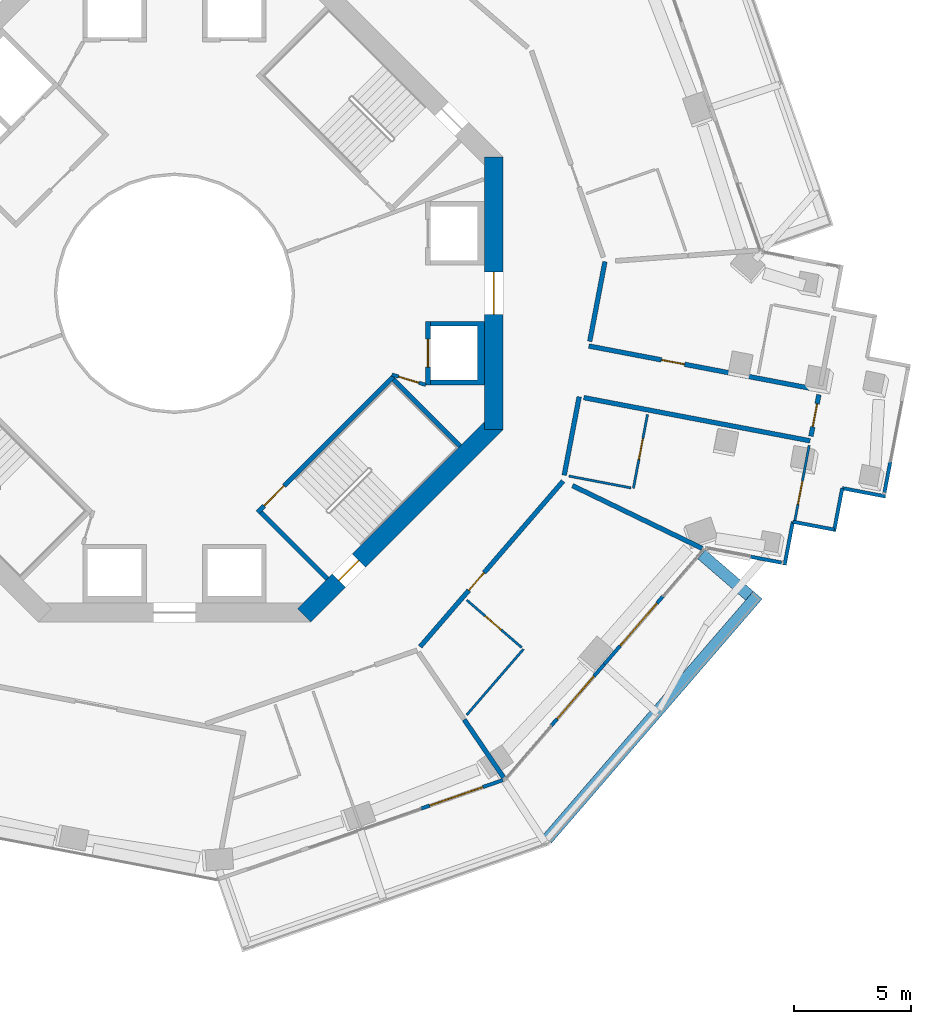
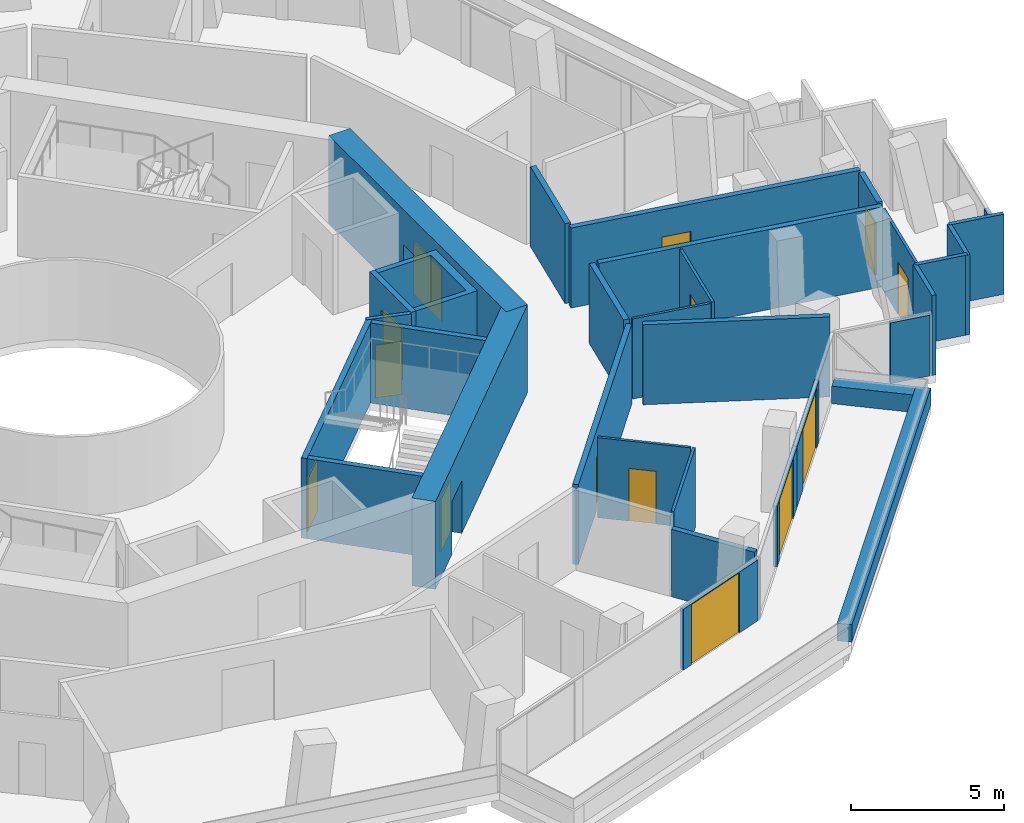
# One storey, part 17 of 23: 32 walls, 14 doors, 14 openings.
"""IFC4 building model written with IfcOpenShell, lengths in metres."""

from ifc_helpers import new_model, si_unit, direction, frame, frame_2d, origin, place, context, subcontext, project, spatial, polyline, rectangle, outline, extrude, material, layer, layer_set, type_object, element, fill, save


model = new_model("IFC4")

# Units and contexts
model_context = context("Model", 3, precision=1e-05, world=origin(), true_north=direction((0.0, 1.0)))
body_context = subcontext(model_context, "Body", "Model", "MODEL_VIEW")
ifc_project = project(units=[si_unit("LENGTHUNIT", "METRE"), si_unit("AREAUNIT", "SQUARE_METRE"), si_unit("VOLUMEUNIT", "CUBIC_METRE"), si_unit("PLANEANGLEUNIT", "RADIAN"), si_unit("MASSUNIT", "GRAM", prefix="KILO")], contexts=[model_context])

# Site, building, storey
site_placement = place(None, origin())
site = spatial("IfcSite", under=ifc_project, at=site_placement, CompositionType="ELEMENT")
building_placement = place(site_placement, origin())
building = spatial("IfcBuilding", under=site, at=building_placement, Name="Verdalira Terraces Hotel", CompositionType="ELEMENT")
storey_placement = place(building_placement, frame((0.0, 0.0, 111.5)))
storey = spatial("IfcBuildingStorey", under=building, at=storey_placement, Name="L26", CompositionType="ELEMENT", Elevation=111.5)

# Walls
ifc_material_1 = material(Name="Concrete C40", Category="concrete")
ifc_layer_1 = layer(ifc_material_1, 0.5)
ifc_layer_set_1 = layer_set([ifc_layer_1], Name="Balcony planter trough with tree")
wall_type_1 = type_object("IfcWallType", Name="Balcony planter trough with tree", PredefinedType="SOLIDWALL", material=ifc_layer_set_1)
wall_1_placement = place(storey_placement, frame((15.876709, -23.246582, 0.0), z_axis=(0.0, 0.0, 1.0), x_axis=(0.653411418, 0.757002985, 0.0)))
element("IfcWall", 1, at=wall_1_placement, inside=storey, type_object=wall_type_1, Name="Balcony planter", PredefinedType="SOLIDWALL", context=body_context, shape_type="SweptSolid", body=[
    extrude(rectangle(XDim=13.723389, YDim=0.5, at=frame_2d((6.861816, 0.0))), origin(), (0.0, 0.0, 1.0), 0.699951),
])
wall_2_placement = place(storey_placement, frame((24.491211, -12.883789, 0.0), z_axis=(0.0, 0.0, 1.0), x_axis=(-0.757036532, 0.65337255, 0.0)))
element("IfcWall", 2, at=wall_2_placement, inside=storey, type_object=wall_type_1, Name="Balcony planter", PredefinedType="SOLIDWALL", context=body_context, shape_type="SweptSolid", body=[
    extrude(rectangle(XDim=2.698975, YDim=0.5, at=frame_2d((1.349609, 0.0))), origin(), (0.0, 0.0, 1.0), 0.699951),
])

# Wall, opening, door
ifc_material_2 = material(Name="Moisture-resistant gypsum board partition")
ifc_layer_2 = layer(ifc_material_2, 0.10009765625)
ifc_layer_set_2 = layer_set([ifc_layer_2], Name="Bathroom partition 100 mm")
wall_type_2 = type_object("IfcWallType", Name="Bathroom partition 100 mm", PredefinedType="PARTITIONING", material=ifc_layer_set_2)
wall_3_placement = place(storey_placement, frame((14.791992, -15.091064, 0.0), z_axis=(0.0, 0.0, 1.0), x_axis=(-0.75698944, 0.65342711, 0.0)))
wall_3 = element("IfcWall", 3, at=wall_3_placement, inside=storey, type_object=wall_type_2, Name="Bathroom partition", PredefinedType="PARTITIONING", context=body_context, shape_type="SweptSolid", body=[
    extrude(rectangle(XDim=3.100098, YDim=0.100098, at=frame_2d((1.550049, 0.0))), origin(), (0.0, 0.0, 1.0), 3.189941),
])
opening_1_placement = place(wall_3_placement, frame((1.149902, 0.0, 0.0)))
opening_1 = element("IfcOpeningElement", 4, at=opening_1_placement, cuts=wall_3, Name="Opening L26-121", PredefinedType="OPENING", context=body_context, shape_type="SweptSolid", body=[
    extrude(rectangle(XDim=0.899902, YDim=2.100098, at=frame_2d((0.449951, 1.050049))), frame((0.0, 0.060059, 0.0), z_axis=(0.0, -1.0, 0.0), x_axis=(1.0, 0.0, 0.0)), (0.0, 0.0, 1.0), 0.120117),
])
ifc_material_3 = material(Name="Timber door", Category="wood")
door_type_1 = type_object("IfcDoorType", Name="Bathroom door 900 x 2100", OperationType="NOTDEFINED", PredefinedType="DOOR", material=ifc_material_3)
door_1_placement = place(opening_1_placement, origin())
door_1 = element("IfcDoor", 5, at=door_1_placement, inside=storey, type_object=door_type_1, Name="Bathroom door 2610", OperationType="SINGLE_SWING_LEFT", OverallHeight=2.10009765625, OverallWidth=0.89990234375, PredefinedType="DOOR", context=body_context, shape_type="SweptSolid", body=[
    extrude(rectangle(XDim=0.899902, YDim=2.100098, at=frame_2d((0.449951, 1.050049))), frame((0.0, 0.024902, 0.0), z_axis=(0.0, -1.0, 0.0), x_axis=(1.0, 0.0, 0.0)), (0.0, 0.0, 1.0), 0.050049),
])
fill(opening_1, door_1)

# Walls
wall_4_placement = place(storey_placement, frame((14.86792, -15.15625, 0.0), z_axis=(0.0, 0.0, 1.0), x_axis=(-0.653436238, -0.756981561, 0.0)))
element("IfcWall", 6, at=wall_4_placement, inside=storey, type_object=wall_type_2, Name="Bathroom partition", PredefinedType="PARTITIONING", context=body_context, shape_type="SweptSolid", body=[
    extrude(rectangle(XDim=3.704102, YDim=0.100098, at=frame_2d((1.852051, 0.0))), origin(), (0.0, 0.0, 1.0), 3.189941),
])
wall_5_placement = place(storey_placement, frame((16.797119, -7.7854, 0.0), z_axis=(0.0, 0.0, 1.0), x_axis=(0.982291047, -0.187361415, 0.0)))
element("IfcWall", 7, at=wall_5_placement, inside=storey, type_object=wall_type_2, Name="Bathroom partition", PredefinedType="PARTITIONING", context=body_context, shape_type="SweptSolid", body=[
    extrude(rectangle(XDim=2.699951, YDim=0.100098, at=frame_2d((1.350098, 0.0))), origin(), (0.0, 0.0, 1.0), 3.189941),
])

# Wall, opening, door
wall_6_placement = place(storey_placement, frame((19.547363, -8.310059, 0.0), z_axis=(0.0, 0.0, 1.0), x_axis=(0.187378546, 0.982287779, 0.0)))
wall_6 = element("IfcWall", 8, at=wall_6_placement, inside=storey, type_object=wall_type_2, Name="Bathroom partition", PredefinedType="PARTITIONING", context=body_context, shape_type="SweptSolid", body=[
    extrude(rectangle(XDim=3.199951, YDim=0.100098, at=frame_2d((1.600098, 0.0))), origin(), (0.0, 0.0, 1.0), 3.189941),
])
opening_2_placement = place(wall_6_placement, frame((1.25, 0.0, 0.0)))
opening_2 = element("IfcOpeningElement", 9, at=opening_2_placement, cuts=wall_6, Name="Opening L26-124", PredefinedType="OPENING", context=body_context, shape_type="SweptSolid", body=[
    extrude(rectangle(XDim=0.899902, YDim=2.100098, at=frame_2d((0.449951, 1.050049))), frame((0.0, 0.060059, 0.0), z_axis=(0.0, -1.0, 0.0), x_axis=(1.0, 0.0, 0.0)), (0.0, 0.0, 1.0), 0.120117),
])
door_2_placement = place(opening_2_placement, origin())
door_2 = element("IfcDoor", 10, at=door_2_placement, inside=storey, type_object=door_type_1, Name="Bathroom door 2611", OperationType="SINGLE_SWING_LEFT", OverallHeight=2.10009765625, OverallWidth=0.89990234375, PredefinedType="DOOR", context=body_context, shape_type="SweptSolid", body=[
    extrude(rectangle(XDim=0.899902, YDim=2.100098, at=frame_2d((0.449951, 1.050049))), frame((0.0, 0.024902, 0.0), z_axis=(0.0, -1.0, 0.0), x_axis=(1.0, 0.0, 0.0)), (0.0, 0.0, 1.0), 0.050049),
])
fill(opening_2, door_2)

wall_7_placement = place(storey_placement, frame((26.426514, -9.675293, 0.0), z_axis=(0.0, 0.0, 1.0), x_axis=(0.187374271, 0.982288594, 0.0)))
wall_7 = element("IfcWall", 11, at=wall_7_placement, inside=storey, type_object=wall_type_2, Name="Bathroom partition", PredefinedType="PARTITIONING", context=body_context, shape_type="SweptSolid", body=[
    extrude(rectangle(XDim=3.252197, YDim=0.100098, at=frame_2d((1.625977, 0.0))), origin(), (0.0, 0.0, 1.0), 3.189941),
])
opening_3_placement = place(wall_7_placement, frame((0.699951, 0.0, 0.0)))
opening_3 = element("IfcOpeningElement", 12, at=opening_3_placement, cuts=wall_7, Name="Opening L26-123", PredefinedType="OPENING", context=body_context, shape_type="SweptSolid", body=[
    extrude(rectangle(XDim=1.0, YDim=2.100098, at=frame_2d((0.5, 1.050049))), frame((0.0, 0.060059, 0.0), z_axis=(0.0, -1.0, 0.0), x_axis=(1.0, 0.0, 0.0)), (0.0, 0.0, 1.0), 0.120117),
])
ifc_material_4 = material(Name="Timber door", Category="wood")
door_type_2 = type_object("IfcDoorType", Name="Suite internal door 1000 x 2100", OperationType="NOTDEFINED", PredefinedType="DOOR", material=ifc_material_4)
door_3_placement = place(opening_3_placement, origin())
door_3 = element("IfcDoor", 13, at=door_3_placement, inside=storey, type_object=door_type_2, Name="Suite internal door 2611", OperationType="SINGLE_SWING_LEFT", OverallHeight=2.10009765625, OverallWidth=1.0, PredefinedType="DOOR", context=body_context, shape_type="SweptSolid", body=[
    extrude(rectangle(XDim=1.0, YDim=2.100098, at=frame_2d((0.5, 1.050049))), frame((0.0, 0.024902, 0.0), z_axis=(0.0, -1.0, 0.0), x_axis=(1.0, 0.0, 0.0)), (0.0, 0.0, 1.0), 0.050049),
])
fill(opening_3, door_3)

# Wall
ifc_material_5 = material(Name="Concrete C50", Category="concrete")
ifc_layer_3 = layer(ifc_material_5, 0.199951171875)
ifc_layer_set_3 = layer_set([ifc_layer_3], Name="Core RC wall 200 C50")
wall_type_3 = type_object("IfcWallType", Name="Core RC wall 200 C50", PredefinedType="SOLIDWALL", material=ifc_layer_set_3)
wall_8_placement = place(storey_placement, origin())
element("IfcWall", 14, at=wall_8_placement, inside=storey, type_object=wall_type_3, Name="L26 shaft wall E1", PredefinedType="SOLIDWALL", context=body_context, shape_type="SweptSolid", body=[
    extrude(outline(polyline([(13.199951, -3.899902), (10.899902, -3.899902), (10.899902, -3.699951), (12.899902, -3.699951), (12.899902, -1.399902), (10.899902, -1.399902), (10.899902, -1.199951), (13.199951, -1.199951), (13.199951, -3.899902)])), origin(), (0.0, 0.0, 1.0), 3.189941),
])

# Wall, opening, door
wall_9_placement = place(storey_placement, frame((10.800049, -1.199951, 0.0), z_axis=(0.0, 0.0, 1.0), x_axis=(0.0, -1.0, 0.0)))
wall_9 = element("IfcWall", 15, at=wall_9_placement, inside=storey, type_object=wall_type_3, Name="L26 shaft front wall E1", PredefinedType="SOLIDWALL", context=body_context, shape_type="SweptSolid", body=[
    extrude(rectangle(XDim=2.699951, YDim=0.199951, at=frame_2d((1.350098, 0.0))), origin(), (0.0, 0.0, 1.0), 3.189941),
])
opening_4_placement = place(wall_9_placement, frame((0.75, 0.0, 0.0)))
opening_4 = element("IfcOpeningElement", 16, at=opening_4_placement, cuts=wall_9, Name="Opening LD-L26-801", PredefinedType="OPENING", context=body_context, shape_type="SweptSolid", body=[
    extrude(rectangle(XDim=1.199951, YDim=2.100098, at=frame_2d((0.600098, 1.050049))), frame((0.0, 0.109863, 0.0), z_axis=(0.0, -1.0, 0.0), x_axis=(1.0, 0.0, 0.0)), (0.0, 0.0, 1.0), 0.219971),
])
ifc_material_6 = material(Name="Stainless steel", Category="steel")
door_type_3 = type_object("IfcDoorType", Name="Landing door 1200 x 2100", OperationType="NOTDEFINED", PredefinedType="DOOR", material=ifc_material_6)
door_4_placement = place(opening_4_placement, origin())
door_4 = element("IfcDoor", 17, at=door_4_placement, inside=storey, type_object=door_type_3, Name="Lift landing door LR1 L26", OperationType="DOUBLE_DOOR_SLIDING", OverallHeight=2.10009765625, OverallWidth=1.199951171875, PredefinedType="DOOR", context=body_context, shape_type="SweptSolid", body=[
    extrude(rectangle(XDim=1.199951, YDim=2.100098, at=frame_2d((0.600098, 1.050049))), frame((0.0, 0.024902, 0.0), z_axis=(0.0, -1.0, 0.0), x_axis=(1.0, 0.0, 0.0)), (0.0, 0.0, 1.0), 0.050049),
])
fill(opening_4, door_4)

wall_10_placement = place(storey_placement, frame((9.33374, -3.5354, 0.0), z_axis=(0.0, 0.0, 1.0), x_axis=(-0.707106781, -0.707106781, 0.0)))
wall_10 = element("IfcWall", 18, at=wall_10_placement, inside=storey, type_object=wall_type_3, Name="L26 stair ST3 front wall", PredefinedType="SOLIDWALL", context=body_context, shape_type="SweptSolid", body=[
    extrude(rectangle(XDim=8.200195, YDim=0.199951, at=frame_2d((4.100098, 0.0))), origin(), (0.0, 0.0, 1.0), 3.189941),
])
opening_5_placement = place(wall_10_placement, frame((6.600098, 0.0, 0.0)))
opening_5 = element("IfcOpeningElement", 19, at=opening_5_placement, cuts=wall_10, Name="Opening L26-811", PredefinedType="OPENING", context=body_context, shape_type="SweptSolid", body=[
    extrude(rectangle(XDim=1.199951, YDim=2.100098, at=frame_2d((0.600098, 1.050049))), frame((0.0, 0.109863, 0.0), z_axis=(0.0, -1.0, 0.0), x_axis=(1.0, 0.0, 0.0)), (0.0, 0.0, 1.0), 0.219971),
])
ifc_material_7 = material(Name="Steel fire door", Category="steel")
door_type_4 = type_object("IfcDoorType", Name="Stair door 1200 x 2100", OperationType="NOTDEFINED", PredefinedType="DOOR", material=ifc_material_7)
door_5_placement = place(opening_5_placement, origin())
door_5 = element("IfcDoor", 20, at=door_5_placement, inside=storey, type_object=door_type_4, Name="Stair door ST3 L26", OperationType="SINGLE_SWING_RIGHT", OverallHeight=2.10009765625, OverallWidth=1.199951171875, PredefinedType="DOOR", context=body_context, shape_type="SweptSolid", body=[
    extrude(rectangle(XDim=1.199951, YDim=2.100098, at=frame_2d((0.600098, 1.050049))), frame((0.0, 0.024902, 0.0), z_axis=(0.0, -1.0, 0.0), x_axis=(1.0, 0.0, 0.0)), (0.0, 0.0, 1.0), 0.050049),
])
fill(opening_5, door_5)

# Walls
for number, where, z_axis, x_axis, name in (
    (21, (3.677002, -9.33374, 0.0), (0.0, 0.0, 1.0), (0.707106781, -0.707106781, 0.0), "L26 stair ST3 end wall 1"),
    (22, (9.33374, -3.677002, 0.0), (0.0, 0.0, 1.0), (0.707106781, -0.707106781, 0.0), "L26 stair ST3 end wall 2"),
):
    element("IfcWall", number, at=place(storey_placement, frame(where, z_axis=z_axis, x_axis=x_axis)), inside=storey, type_object=wall_type_3, Name=name, PredefinedType="SOLIDWALL", context=body_context, shape_type="SweptSolid", body=[
        extrude(rectangle(XDim=4.0, YDim=0.199951, at=frame_2d((2.0, 0.0))), origin(), (0.0, 0.0, 1.0), 3.189941),
    ])

# Wall, opening, door
ifc_material_8 = material(Name="Gypsum board partition")
ifc_layer_4 = layer(ifc_material_8, 0.14990234375)
ifc_layer_set_4 = layer_set([ifc_layer_4], Name="Core partition 150 mm")
wall_type_4 = type_object("IfcWallType", Name="Core partition 150 mm", PredefinedType="PARTITIONING", material=ifc_layer_set_4)
wall_11_placement = place(storey_placement, frame((9.263184, -3.464844, 0.0), z_axis=(0.0, 0.0, 1.0), x_axis=(0.957084567, -0.289808785, 0.0)))
wall_11 = element("IfcWall", 23, at=wall_11_placement, inside=storey, type_object=wall_type_4, Name="Room partition L26", PredefinedType="PARTITIONING", context=body_context, shape_type="SweptSolid", body=[
    extrude(rectangle(XDim=1.501221, YDim=0.149902, at=frame_2d((0.750488, 0.0))), origin(), (0.0, 0.0, 1.0), 3.189941),
])
opening_6_placement = place(wall_11_placement, frame((0.300781, 0.0, 0.0)))
opening_6 = element("IfcOpeningElement", 24, at=opening_6_placement, cuts=wall_11, Name="Opening L26-823", PredefinedType="OPENING", context=body_context, shape_type="SweptSolid", body=[
    extrude(rectangle(XDim=0.899902, YDim=2.100098, at=frame_2d((0.449951, 1.050049))), frame((0.0, 0.084961, 0.0), z_axis=(0.0, -1.0, 0.0), x_axis=(1.0, 0.0, 0.0)), (0.0, 0.0, 1.0), 0.169922),
])
ifc_material_9 = material(Name="Steel fire door", Category="steel")
door_type_5 = type_object("IfcDoorType", Name="Core room door 900 x 2100", OperationType="NOTDEFINED", PredefinedType="DOOR", material=ifc_material_9)
door_6_placement = place(opening_6_placement, origin())
door_6 = element("IfcDoor", 25, at=door_6_placement, inside=storey, type_object=door_type_5, Name="Door L26 room7", OperationType="SINGLE_SWING_LEFT", OverallHeight=2.10009765625, OverallWidth=0.89990234375, PredefinedType="DOOR", context=body_context, shape_type="SweptSolid", body=[
    extrude(rectangle(XDim=0.899902, YDim=2.100098, at=frame_2d((0.449951, 1.050049))), frame((0.0, 0.024902, 0.0), z_axis=(0.0, -1.0, 0.0), x_axis=(1.0, 0.0, 0.0)), (0.0, 0.0, 1.0), 0.050049),
])
fill(opening_6, door_6)

ifc_material_10 = material(Name="Concrete C70", Category="concrete")
ifc_layer_5 = layer(ifc_material_10, 0.800048828125)
ifc_layer_set_5 = layer_set([ifc_layer_5], Name="Core wall 800 C70")
wall_type_5 = type_object("IfcWallType", Name="Core wall 800 C70", PredefinedType="SHEAR", material=ifc_layer_set_5)
wall_12_placement = place(storey_placement, frame((13.600098, -5.799072, 0.0), z_axis=(0.0, 0.0, 1.0), x_axis=(0.0, 1.0, 0.0)))
wall_12 = element("IfcWall", 26, at=wall_12_placement, inside=storey, type_object=wall_type_5, Name="Core wall CW-L26-1", PredefinedType="SHEAR", context=body_context, shape_type="SweptSolid", body=[
    extrude(rectangle(XDim=11.598145, YDim=0.800049, at=frame_2d((5.799072, 0.0))), origin(), (0.0, 0.0, 1.0), 3.5),
])
opening_7_placement = place(wall_12_placement, frame((4.898926, 0.0, 0.0)))
opening_7 = element("IfcOpeningElement", 27, at=opening_7_placement, cuts=wall_12, Name="Opening L26-812", PredefinedType="OPENING", context=body_context, shape_type="SweptSolid", body=[
    extrude(rectangle(XDim=1.800049, YDim=2.100098, at=frame_2d((0.899902, 1.050049))), frame((0.0, 0.409912, 0.0), z_axis=(0.0, -1.0, 0.0), x_axis=(1.0, 0.0, 0.0)), (0.0, 0.0, 1.0), 0.820068),
])
ifc_material_11 = material(Name="Steel fire door", Category="steel")
door_type_6 = type_object("IfcDoorType", Name="Core entry door pair 1800 x 2100", OperationType="NOTDEFINED", PredefinedType="DOOR", material=ifc_material_11)
door_7_placement = place(opening_7_placement, origin())
door_7 = element("IfcDoor", 28, at=door_7_placement, inside=storey, type_object=door_type_6, Name="Core entry door L26 0", OperationType="DOUBLE_DOOR_SINGLE_SWING", OverallHeight=2.10009765625, OverallWidth=1.800048828125, PredefinedType="DOOR", context=body_context, shape_type="SweptSolid", body=[
    extrude(rectangle(XDim=1.800049, YDim=2.100098, at=frame_2d((0.899902, 1.050049))), frame((0.0, 0.024902, 0.0), z_axis=(0.0, -1.0, 0.0), x_axis=(1.0, 0.0, 0.0)), (0.0, 0.0, 1.0), 0.050049),
])
fill(opening_7, door_7)

wall_13_placement = place(storey_placement, frame((5.516113, -13.717285, 0.0), z_axis=(0.0, 0.0, 1.0), x_axis=(0.707106781, 0.707106781, 0.0)))
wall_13 = element("IfcWall", 29, at=wall_13_placement, inside=storey, type_object=wall_type_5, Name="Core wall CW-L26-8", PredefinedType="SHEAR", context=body_context, shape_type="SweptSolid", body=[
    extrude(rectangle(XDim=11.598145, YDim=0.800049, at=frame_2d((5.799072, 0.0))), origin(), (0.0, 0.0, 1.0), 3.5),
])
opening_8_placement = place(wall_13_placement, frame((2.099121, 0.0, 0.0)))
opening_8 = element("IfcOpeningElement", 30, at=opening_8_placement, cuts=wall_13, Name="Opening L26-818", PredefinedType="OPENING", context=body_context, shape_type="SweptSolid", body=[
    extrude(rectangle(XDim=1.199951, YDim=2.100098, at=frame_2d((0.600098, 1.050049))), frame((0.0, 0.409912, 0.0), z_axis=(0.0, -1.0, 0.0), x_axis=(1.0, 0.0, 0.0)), (0.0, 0.0, 1.0), 0.820068),
])
door_8_placement = place(opening_8_placement, origin())
door_8 = element("IfcDoor", 31, at=door_8_placement, inside=storey, type_object=door_type_4, Name="Stair exit door ST3 L26", OperationType="SINGLE_SWING_LEFT", OverallHeight=2.10009765625, OverallWidth=1.199951171875, PredefinedType="DOOR", context=body_context, shape_type="SweptSolid", body=[
    extrude(rectangle(XDim=1.199951, YDim=2.100098, at=frame_2d((0.600098, 1.050049))), frame((0.0, 0.024902, 0.0), z_axis=(0.0, -1.0, 0.0), x_axis=(1.0, 0.0, 0.0)), (0.0, 0.0, 1.0), 0.050049),
])
fill(opening_8, door_8)

# Walls
ifc_material_12 = material(Name="Fire-rated gypsum board wall")
ifc_layer_6 = layer(ifc_material_12, 0.199951171875)
ifc_layer_set_6 = layer_set([ifc_layer_6], Name="Demising wall 200 mm")
wall_type_6 = type_object("IfcWallType", Name="Demising wall 200 mm", PredefinedType="SOLIDWALL", material=ifc_layer_set_6)
wall_14_placement = place(storey_placement, frame((16.954834, -8.196289, 0.0), z_axis=(0.0, 0.0, 1.0), x_axis=(0.900327372, -0.435213307, 0.0)))
element("IfcWall", 32, at=wall_14_placement, inside=storey, type_object=wall_type_6, Name="Demising wall", PredefinedType="SOLIDWALL", context=body_context, shape_type="SweptSolid", body=[
    extrude(rectangle(XDim=6.131836, YDim=0.199951, at=frame_2d((3.065918, 0.0))), origin(), (0.0, 0.0, 1.0), 3.189941),
])
ifc_material_13 = material(Name="Fire-rated gypsum board wall")
ifc_layer_7 = layer(ifc_material_13, 0.199951171875)
ifc_layer_set_7 = layer_set([ifc_layer_7], Name="Demising wall 200 mm to beam soffit")
wall_type_7 = type_object("IfcWallType", Name="Demising wall 200 mm to beam soffit", PredefinedType="SOLIDWALL", material=ifc_layer_set_7)
wall_15_placement = place(storey_placement, frame((12.339111, -18.156494, 0.0), z_axis=(0.0, 0.0, 1.0), x_axis=(0.562123746, -0.827053138, 0.0)))
element("IfcWall", 33, at=wall_15_placement, inside=storey, type_object=wall_type_7, Name="Demising wall", PredefinedType="SOLIDWALL", context=body_context, shape_type="SweptSolid", body=[
    extrude(rectangle(XDim=3.011475, YDim=0.199951, at=frame_2d((1.505859, 0.0))), origin(), (0.0, 0.0, 1.0), 2.689941),
])

# Wall, opening, door
ifc_material_14 = material(Name="Fire-rated gypsum board wall")
ifc_layer_8 = layer(ifc_material_14, 0.199951171875)
ifc_layer_set_8 = layer_set([ifc_layer_8], Name="Guest corridor wall 200 mm")
wall_type_8 = type_object("IfcWallType", Name="Guest corridor wall 200 mm", PredefinedType="SOLIDWALL", material=ifc_layer_set_8)
wall_16_placement = place(storey_placement, frame((16.552002, -8.001709, 0.0), z_axis=(0.0, 0.0, 1.0), x_axis=(-0.653411751, -0.757002697, 0.0)))
wall_16 = element("IfcWall", 34, at=wall_16_placement, inside=storey, type_object=wall_type_8, Name="Guest corridor wall", PredefinedType="SOLIDWALL", context=body_context, shape_type="SweptSolid", body=[
    extrude(rectangle(XDim=9.316406, YDim=0.199951, at=frame_2d((4.658203, 0.0))), origin(), (0.0, 0.0, 1.0), 3.189941),
])
opening_9_placement = place(wall_16_placement, frame((5.149902, 0.0, 0.0)))
opening_9 = element("IfcOpeningElement", 35, at=opening_9_placement, cuts=wall_16, Name="Opening L26-120", PredefinedType="OPENING", context=body_context, shape_type="SweptSolid", body=[
    extrude(rectangle(XDim=1.0, YDim=2.100098, at=frame_2d((0.5, 1.050049))), frame((0.0, 0.109863, 0.0), z_axis=(0.0, -1.0, 0.0), x_axis=(1.0, 0.0, 0.0)), (0.0, 0.0, 1.0), 0.219971),
])
ifc_material_15 = material(Name="Timber fire door", Category="wood")
door_type_7 = type_object("IfcDoorType", Name="Guest entry door 1000 x 2100", OperationType="NOTDEFINED", PredefinedType="DOOR", material=ifc_material_15)
door_9_placement = place(opening_9_placement, origin())
door_9 = element("IfcDoor", 36, at=door_9_placement, inside=storey, type_object=door_type_7, Name="Guest entry door 2610", OperationType="SINGLE_SWING_LEFT", OverallHeight=2.10009765625, OverallWidth=1.0, PredefinedType="DOOR", context=body_context, shape_type="SweptSolid", body=[
    extrude(rectangle(XDim=1.0, YDim=2.100098, at=frame_2d((0.5, 1.050049))), frame((0.0, 0.024902, 0.0), z_axis=(0.0, -1.0, 0.0), x_axis=(1.0, 0.0, 0.0)), (0.0, 0.0, 1.0), 0.050049),
])
fill(opening_9, door_9)

# Walls
wall_17_placement = place(storey_placement, frame((16.600586, -7.747803, 0.0), z_axis=(0.0, 0.0, 1.0), x_axis=(0.187422277, 0.982279436, 0.0)))
element("IfcWall", 37, at=wall_17_placement, inside=storey, type_object=wall_type_8, Name="Guest corridor wall", PredefinedType="SOLIDWALL", context=body_context, shape_type="SweptSolid", body=[
    extrude(rectangle(XDim=3.399902, YDim=0.199951, at=frame_2d((1.699951, 0.0))), origin(), (0.0, 0.0, 1.0), 3.189941),
])
wall_18_placement = place(storey_placement, frame((17.6875, -2.050537, 0.0), z_axis=(0.0, 0.0, 1.0), x_axis=(0.18736514, 0.982290336, 0.0)))
element("IfcWall", 38, at=wall_18_placement, inside=storey, type_object=wall_type_8, Name="Guest corridor wall", PredefinedType="SOLIDWALL", context=body_context, shape_type="SweptSolid", body=[
    extrude(rectangle(XDim=3.458252, YDim=0.199951, at=frame_2d((1.729004, 0.0))), origin(), (0.0, 0.0, 1.0), 3.189941),
])
wall_19_placement = place(storey_placement, frame((17.434082, -4.445557, 0.0), z_axis=(0.0, 0.0, 1.0), x_axis=(0.982289972, -0.187367048, 0.0)))
element("IfcWall", 39, at=wall_19_placement, inside=storey, type_object=wall_type_8, Name="Guest corridor wall", PredefinedType="SOLIDWALL", context=body_context, shape_type="SweptSolid", body=[
    extrude(rectangle(XDim=9.812988, YDim=0.199951, at=frame_2d((4.906494, 0.0))), origin(), (0.0, 0.0, 1.0), 3.189941),
])

# Wall, opening, door
wall_20_placement = place(storey_placement, frame((17.649902, -2.24707, 0.0), z_axis=(0.0, 0.0, 1.0), x_axis=(0.982287952, -0.187377638, 0.0)))
wall_20 = element("IfcWall", 40, at=wall_20_placement, inside=storey, type_object=wall_type_8, Name="Guest corridor wall", PredefinedType="SOLIDWALL", context=body_context, shape_type="SweptSolid", body=[
    extrude(rectangle(XDim=10.012939, YDim=0.199951, at=frame_2d((5.006348, 0.0))), origin(), (0.0, 0.0, 1.0), 3.189941),
])
opening_10_placement = place(wall_20_placement, frame((3.149902, 0.0, 0.0)))
opening_10 = element("IfcOpeningElement", 41, at=opening_10_placement, cuts=wall_20, Name="Opening L26-125", PredefinedType="OPENING", context=body_context, shape_type="SweptSolid", body=[
    extrude(rectangle(XDim=1.0, YDim=2.100098, at=frame_2d((0.5, 1.050049))), frame((0.0, 0.109863, 0.0), z_axis=(0.0, -1.0, 0.0), x_axis=(1.0, 0.0, 0.0)), (0.0, 0.0, 1.0), 0.219971),
])
door_10_placement = place(opening_10_placement, origin())
door_10 = element("IfcDoor", 42, at=door_10_placement, inside=storey, type_object=door_type_7, Name="Guest entry door 2612", OperationType="SINGLE_SWING_LEFT", OverallHeight=2.10009765625, OverallWidth=1.0, PredefinedType="DOOR", context=body_context, shape_type="SweptSolid", body=[
    extrude(rectangle(XDim=1.0, YDim=2.100098, at=frame_2d((0.5, 1.050049))), frame((0.0, 0.024902, 0.0), z_axis=(0.0, -1.0, 0.0), x_axis=(1.0, 0.0, 0.0)), (0.0, 0.0, 1.0), 0.050049),
])
fill(opening_10, door_10)

wall_21_placement = place(storey_placement, frame((27.448486, -4.317871, 0.0), z_axis=(0.0, 0.0, 1.0), x_axis=(-0.187441704, -0.982275729, 0.0)))
wall_21 = element("IfcWall", 43, at=wall_21_placement, inside=storey, type_object=wall_type_8, Name="Guest corridor wall", PredefinedType="SOLIDWALL", context=body_context, shape_type="SweptSolid", body=[
    extrude(rectangle(XDim=1.803955, YDim=0.199951, at=frame_2d((0.901855, 0.0))), origin(), (0.0, 0.0, 1.0), 3.189941),
])
opening_11_placement = place(wall_21_placement, frame((0.399902, 0.0, 0.0)))
opening_11 = element("IfcOpeningElement", 44, at=opening_11_placement, cuts=wall_21, Name="Opening L26-122", PredefinedType="OPENING", context=body_context, shape_type="SweptSolid", body=[
    extrude(rectangle(XDim=1.0, YDim=2.100098, at=frame_2d((0.5, 1.050049))), frame((0.0, 0.109863, 0.0), z_axis=(0.0, -1.0, 0.0), x_axis=(1.0, 0.0, 0.0)), (0.0, 0.0, 1.0), 0.219971),
])
door_11_placement = place(opening_11_placement, origin())
door_11 = element("IfcDoor", 45, at=door_11_placement, inside=storey, type_object=door_type_7, Name="Guest entry door 2611", OperationType="SINGLE_SWING_LEFT", OverallHeight=2.10009765625, OverallWidth=1.0, PredefinedType="DOOR", context=body_context, shape_type="SweptSolid", body=[
    extrude(rectangle(XDim=1.0, YDim=2.100098, at=frame_2d((0.5, 1.050049))), frame((0.0, 0.024902, 0.0), z_axis=(0.0, -1.0, 0.0), x_axis=(1.0, 0.0, 0.0)), (0.0, 0.0, 1.0), 0.050049),
])
fill(opening_11, door_11)

# Walls
ifc_material_16 = material(Name="Terracotta cladding", Category="masonry")
ifc_layer_9 = layer(ifc_material_16, 0.14990234375)
ifc_layer_set_9 = layer_set([ifc_layer_9], Name="Terracotta clad wall 150")
wall_type_9 = type_object("IfcWallType", Name="Terracotta clad wall 150", PredefinedType="SOLIDWALL", material=ifc_layer_set_9)
wall_22_placement = place(storey_placement, frame((25.987793, -11.574707, 0.0), z_axis=(0.0, 0.0, 1.0), x_axis=(0.187369383, 0.982289527, 0.0)))
element("IfcWall", 46, at=wall_22_placement, inside=storey, type_object=wall_type_9, Name="Terracotta cladding wall", PredefinedType="SOLIDWALL", context=body_context, shape_type="SweptSolid", body=[
    extrude(rectangle(XDim=1.875, YDim=0.149902, at=frame_2d((0.9375, 0.0))), origin(), (0.0, 0.0, 1.0), 3.189941),
])
wall_23_placement = place(storey_placement, frame((26.339111, -9.73291, 0.0), z_axis=(0.0, 0.0, 1.0), x_axis=(0.982299367, -0.187317789, 0.0)))
element("IfcWall", 47, at=wall_23_placement, inside=storey, type_object=wall_type_9, Name="Terracotta cladding wall", PredefinedType="SOLIDWALL", context=body_context, shape_type="SweptSolid", body=[
    extrude(rectangle(XDim=1.799805, YDim=0.149902, at=frame_2d((0.899902, 0.0))), origin(), (0.0, 0.0, 1.0), 3.189941),
])
for number, where, z_axis, x_axis, name in (
    (48, (28.093018, -10.143799, 0.0), (0.0, 0.0, 1.0), (0.187495016, 0.982265554, 0.0), "Terracotta cladding wall"),
    (49, (28.44458, -8.302002, 0.0), (0.0, 0.0, 1.0), (0.982289527, -0.187369383, 0.0), "Terracotta cladding wall"),
):
    element("IfcWall", number, at=place(storey_placement, frame(where, z_axis=z_axis, x_axis=x_axis)), inside=storey, type_object=wall_type_9, Name=name, PredefinedType="SOLIDWALL", context=body_context, shape_type="SweptSolid", body=[
        extrude(rectangle(XDim=1.875, YDim=0.149902, at=frame_2d((0.9375, 0.0))), origin(), (0.0, 0.0, 1.0), 3.189941),
    ])
ifc_material_17 = material(Name="Terracotta cladding", Category="masonry")
ifc_layer_10 = layer(ifc_material_17, 0.14990234375)
ifc_layer_set_10 = layer_set([ifc_layer_10], Name="Terracotta column pier 150")
wall_type_10 = type_object("IfcWallType", Name="Terracotta column pier 150", PredefinedType="SOLIDWALL", material=ifc_layer_set_10)
wall_24_placement = place(storey_placement, frame((24.523926, -11.218994, 0.0), z_axis=(0.0, 0.0, 1.0), x_axis=(0.982269342, -0.187475172, 0.0)))
element("IfcWall", 50, at=wall_24_placement, inside=storey, type_object=wall_type_10, Name="Terracotta column pier", PredefinedType="SOLIDWALL", context=body_context, shape_type="SweptSolid", body=[
    extrude(rectangle(XDim=1.359619, YDim=0.149902, at=frame_2d((0.679688, 0.0))), origin(), (0.0, 0.0, 1.0), 2.425049),
])
wall_25_placement = place(storey_placement, frame((30.241699, -8.487061, 0.0), z_axis=(0.0, 0.0, 1.0), x_axis=(0.187289119, 0.982304833, 0.0)))
element("IfcWall", 51, at=wall_25_placement, inside=storey, type_object=wall_type_10, Name="Terracotta column pier", PredefinedType="SOLIDWALL", context=body_context, shape_type="SweptSolid", body=[
    extrude(rectangle(XDim=1.330811, YDim=0.149902, at=frame_2d((0.665527, 0.0))), origin(), (0.0, 0.0, 1.0), 2.425049),
])

# Wall, opening, door
ifc_material_18 = material(Name="Terracotta cladding", Category="masonry")
ifc_layer_11 = layer(ifc_material_18, 0.14990234375)
ifc_layer_set_11 = layer_set([ifc_layer_11], Name="Terracotta door pier 150")
wall_type_11 = type_object("IfcWallType", Name="Terracotta door pier 150", PredefinedType="SOLIDWALL", material=ifc_layer_set_11)
wall_26_placement = place(storey_placement, frame((10.493164, -21.953613, 0.0), z_axis=(0.0, 0.0, 1.0), x_axis=(0.944367111, 0.328893235, 0.0)))
wall_26 = element("IfcWall", 52, at=wall_26_placement, inside=storey, type_object=wall_type_11, Name="Terracotta door pier", PredefinedType="SOLIDWALL", context=body_context, shape_type="SweptSolid", body=[
    extrude(rectangle(XDim=3.709961, YDim=0.149902, at=frame_2d((1.85498, 0.0))), origin(), (0.0, 0.0, 1.0), 2.425049),
])
opening_12_placement = place(wall_26_placement, frame((0.399902, 0.0, 0.0)))
opening_12 = element("IfcOpeningElement", 53, at=opening_12_placement, cuts=wall_26, Name="Opening L26-B11", PredefinedType="OPENING", context=body_context, shape_type="SweptSolid", body=[
    extrude(rectangle(XDim=2.399902, YDim=2.399902, at=frame_2d((1.199951, 1.199951))), frame((0.0, 0.084961, 0.0), z_axis=(0.0, -1.0, 0.0), x_axis=(1.0, 0.0, 0.0)), (0.0, 0.0, 1.0), 0.169922),
])
ifc_material_19 = material(Name="Clear glass", Category="glass")
door_type_8 = type_object("IfcDoorType", Name="Balcony sliding door 2400x2400", OperationType="NOTDEFINED", PredefinedType="DOOR", material=ifc_material_19)
door_12_placement = place(opening_12_placement, origin())
door_12 = element("IfcDoor", 54, at=door_12_placement, inside=storey, type_object=door_type_8, Name="Balcony sliding door", OperationType="SLIDING_TO_RIGHT", OverallHeight=2.39990234375, OverallWidth=2.39990234375, PredefinedType="DOOR", context=body_context, shape_type="SweptSolid", body=[
    extrude(rectangle(XDim=2.399902, YDim=2.399902, at=frame_2d((1.199951, 1.199951))), frame((0.0, 0.024902, 0.0), z_axis=(0.0, -1.0, 0.0), x_axis=(1.0, 0.0, 0.0)), (0.0, 0.0, 1.0), 0.050049),
])
fill(opening_12, door_12)

wall_27_placement = place(storey_placement, frame((16.036133, -18.432373, 0.0), z_axis=(0.0, 0.0, 1.0), x_axis=(0.653425946, 0.756990445, 0.0)))
wall_27 = element("IfcWall", 55, at=wall_27_placement, inside=storey, type_object=wall_type_11, Name="Terracotta door pier", PredefinedType="SOLIDWALL", context=body_context, shape_type="SweptSolid", body=[
    extrude(rectangle(XDim=3.474854, YDim=0.149902, at=frame_2d((1.737305, 0.0))), origin(), (0.0, 0.0, 1.0), 2.425049),
])
opening_13_placement = place(wall_27_placement, frame((0.399902, 0.0, 0.0)))
opening_13 = element("IfcOpeningElement", 56, at=opening_13_placement, cuts=wall_27, Name="Opening L26-B12", PredefinedType="OPENING", context=body_context, shape_type="SweptSolid", body=[
    extrude(rectangle(XDim=2.399902, YDim=2.399902, at=frame_2d((1.199951, 1.199951))), frame((0.0, 0.084961, 0.0), z_axis=(0.0, -1.0, 0.0), x_axis=(1.0, 0.0, 0.0)), (0.0, 0.0, 1.0), 0.169922),
])
door_13_placement = place(opening_13_placement, origin())
door_13 = element("IfcDoor", 57, at=door_13_placement, inside=storey, type_object=door_type_8, Name="Balcony sliding door", OperationType="SLIDING_TO_RIGHT", OverallHeight=2.39990234375, OverallWidth=2.39990234375, PredefinedType="DOOR", context=body_context, shape_type="SweptSolid", body=[
    extrude(rectangle(XDim=2.399902, YDim=2.399902, at=frame_2d((1.199951, 1.199951))), frame((0.0, 0.024902, 0.0), z_axis=(0.0, -1.0, 0.0), x_axis=(1.0, 0.0, 0.0)), (0.0, 0.0, 1.0), 0.050049),
])
fill(opening_13, door_13)

wall_28_placement = place(storey_placement, frame((18.306641, -15.802002, 0.0), z_axis=(0.0, 0.0, 1.0), x_axis=(0.653392801, 0.757019054, 0.0)))
wall_28 = element("IfcWall", 58, at=wall_28_placement, inside=storey, type_object=wall_type_11, Name="Terracotta door pier", PredefinedType="SOLIDWALL", context=body_context, shape_type="SweptSolid", body=[
    extrude(rectangle(XDim=3.835449, YDim=0.149902, at=frame_2d((1.917725, 0.0))), origin(), (0.0, 0.0, 1.0), 2.425049),
])
opening_14_placement = place(wall_28_placement, frame((1.0354, 0.0, 0.0)))
opening_14 = element("IfcOpeningElement", 59, at=opening_14_placement, cuts=wall_28, Name="Opening L26-B13", PredefinedType="OPENING", context=body_context, shape_type="SweptSolid", body=[
    extrude(rectangle(XDim=2.399902, YDim=2.399902, at=frame_2d((1.199951, 1.199951))), frame((0.0, 0.084961, 0.0), z_axis=(0.0, -1.0, 0.0), x_axis=(1.0, 0.0, 0.0)), (0.0, 0.0, 1.0), 0.169922),
])
door_14_placement = place(opening_14_placement, origin())
door_14 = element("IfcDoor", 60, at=door_14_placement, inside=storey, type_object=door_type_8, Name="Balcony sliding door", OperationType="SLIDING_TO_LEFT", OverallHeight=2.39990234375, OverallWidth=2.39990234375, PredefinedType="DOOR", context=body_context, shape_type="SweptSolid", body=[
    extrude(rectangle(XDim=2.399902, YDim=2.399902, at=frame_2d((1.199951, 1.199951))), frame((0.0, 0.024902, 0.0), z_axis=(0.0, -1.0, 0.0), x_axis=(1.0, 0.0, 0.0)), (0.0, 0.0, 1.0), 0.050049),
])
fill(opening_14, door_14)

save(model, "model.ifc")
